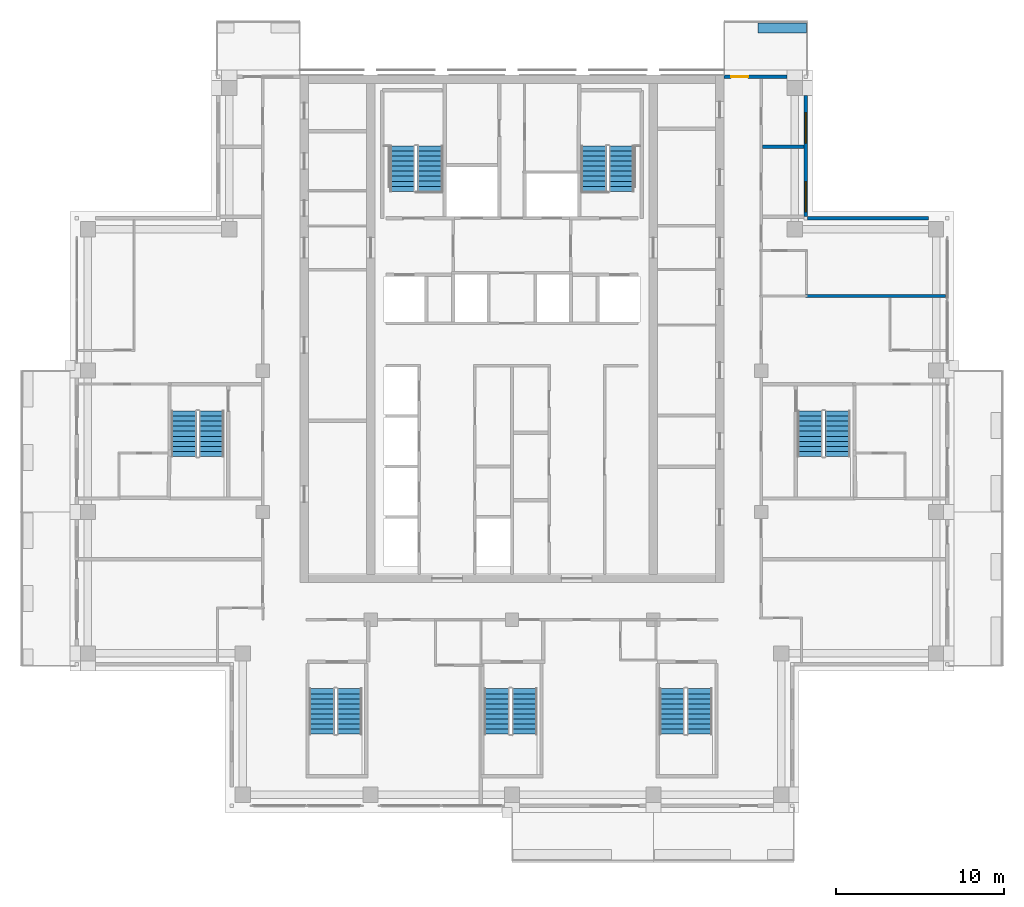
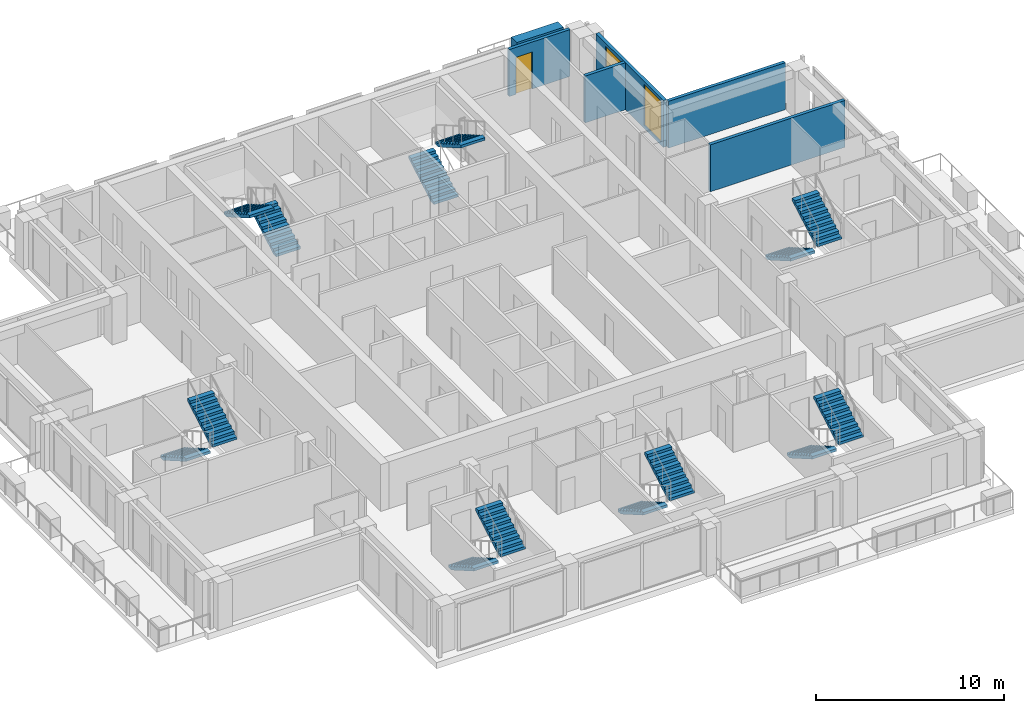
# One storey, part 14 of 17: 14 stair flights, 6 walls, 2 windows, 1 door, 3 openings, 7 elements without a shape of their own.
"""IFC4 building model written with IfcOpenShell, lengths in metres."""

from ifc_helpers import new_model, si_unit, direction, frame, frame_2d, origin, place, context, subcontext, project, spatial, polyline, rectangle, outline, extrude, material, layer, layer_set, type_object, element, fill, aggregate, save


model = new_model("IFC4")

# Units and contexts
model_context = context("Model", 3, precision=1e-05, world=origin(), true_north=direction((0.0, 1.0)))
body_context = subcontext(model_context, "Body", "Model", "MODEL_VIEW")
ifc_project = project(units=[si_unit("LENGTHUNIT", "METRE"), si_unit("AREAUNIT", "SQUARE_METRE"), si_unit("VOLUMEUNIT", "CUBIC_METRE"), si_unit("PLANEANGLEUNIT", "RADIAN"), si_unit("MASSUNIT", "GRAM", prefix="KILO")], contexts=[model_context])

# Site, building, storey
site_placement = place(None, origin())
site = spatial("IfcSite", under=ifc_project, at=site_placement, CompositionType="ELEMENT")
building_placement = place(site_placement, origin())
building = spatial("IfcBuilding", under=site, at=building_placement, Name="Vermilion Ogive Tower", CompositionType="ELEMENT")
storey_placement = place(building_placement, frame((0.0, 0.0, 244.14990234375)))
storey = spatial("IfcBuildingStorey", under=building, at=storey_placement, Name="L64", CompositionType="ELEMENT", Elevation=244.14990234375)

# Walls
ifc_material_1 = material(Name="Gypsum board partition on steel studs", Category="steel")
ifc_layer_1 = layer(ifc_material_1, 0.199951171875)
ifc_layer_set_1 = layer_set([ifc_layer_1], Name="Partition 200 party")
wall_type_1 = type_object("IfcWallType", Name="Partition 200 party", PredefinedType="PARTITIONING", material=ifc_layer_set_1)
wall_1_placement = place(storey_placement, frame((17.449951171875, 8.6298828125, 0.0), z_axis=(0.0, 0.0, 1.0), x_axis=(1.0, 0.0, 0.0)))
element("IfcWall", 1, at=wall_1_placement, inside=storey, type_object=wall_type_1, Name="L64-W-W031", PredefinedType="PARTITIONING", context=body_context, shape_type="SweptSolid", body=[
    extrude(rectangle(XDim=8.300048828125, YDim=0.199951171875, at=frame_2d((4.14990234375, 0.0))), origin(), (0.0, 0.0, 1.0), 3.050048828125),
])
wall_2_placement = place(storey_placement, frame((14.875, 17.5, 0.0), z_axis=(0.0, 0.0, 1.0), x_axis=(1.0, 0.0, 0.0)))
element("IfcWall", 2, at=wall_2_placement, inside=storey, type_object=wall_type_1, Name="L64-W-W036", PredefinedType="PARTITIONING", context=body_context, shape_type="SweptSolid", body=[
    extrude(rectangle(XDim=2.47509765625, YDim=0.199951171875, at=frame_2d((1.237548828125, 0.0))), origin(), (0.0, 0.0, 1.0), 3.050048828125),
])
ifc_material_2 = material(Name="Concrete B40", Category="concrete")
ifc_layer_2 = layer(ifc_material_2, 0.60009765625)
ifc_layer_set_2 = layer_set([ifc_layer_2], Name="Structural planter")
wall_type_2 = type_object("IfcWallType", Name="Structural planter", PredefinedType="USERDEFINED", material=ifc_layer_set_2)
wall_3_placement = place(storey_placement, frame((17.489990234375, 24.550048828125, -0.039794921875), z_axis=(0.0, 0.0, 1.0), x_axis=(-1.0, 0.0, 0.0)))
element("IfcWall", 3, at=wall_3_placement, inside=storey, type_object=wall_type_2, Name="Planter N101A1", ObjectType="PLANTER", PredefinedType="USERDEFINED", context=body_context, shape_type="SweptSolid", body=[
    extrude(rectangle(XDim=2.864990234375, YDim=0.60009765625, at=frame_2d((1.4326171875, 0.0))), origin(), (0.0, 0.0, 1.0), 1.199951171875),
])
ifc_material_3 = material(Name="Aluminium window wall framing", Category="aluminium")
ifc_layer_3 = layer(ifc_material_3, 0.199951171875)
ifc_layer_set_3 = layer_set([ifc_layer_3], Name="Window wall")
wall_type_3 = type_object("IfcWallType", Name="Window wall", PredefinedType="STANDARD", material=ifc_layer_set_3)
wall_4_placement = place(storey_placement, frame((24.75, 13.25, 0.0), z_axis=(0.0, 0.0, 1.0), x_axis=(-1.0, 0.0, 0.0)))
element("IfcWall", 4, at=wall_4_placement, inside=storey, type_object=wall_type_3, Name="Window wall X31", PredefinedType="STANDARD", context=body_context, shape_type="SweptSolid", body=[
    extrude(rectangle(XDim=7.199951171875, YDim=0.199951171875, at=frame_2d((3.60009765625, 0.0))), origin(), (0.0, 0.0, 1.0), 3.050048828125),
])

# Wall, openings, windows
wall_5_placement = place(storey_placement, frame((17.449951171875, 13.35009765625, 0.0), z_axis=(0.0, 0.0, 1.0), x_axis=(0.0, 1.0, 0.0)))
wall_5 = element("IfcWall", 5, at=wall_5_placement, inside=storey, type_object=wall_type_3, Name="Window wall X41", PredefinedType="STANDARD", context=body_context, shape_type="SweptSolid", body=[
    extrude(rectangle(XDim=7.199951171875, YDim=0.199951171875, at=frame_2d((3.60009765625, 0.0))), origin(), (0.0, 0.0, 1.0), 3.050048828125),
])
opening_1_placement = place(wall_5_placement, frame((0.27490234375, 0.0, 0.199951171875)))
opening_1 = element("IfcOpeningElement", 6, at=opening_1_placement, cuts=wall_5, Name="Opening W1-X403", PredefinedType="OPENING", context=body_context, shape_type="SweptSolid", body=[
    extrude(rectangle(XDim=1.800048828125, YDim=2.64990234375, at=frame_2d((0.89990234375, 1.324951171875))), frame((0.0, 0.10986328125, 0.0), z_axis=(0.0, -1.0, 0.0), x_axis=(1.0, 0.0, 0.0)), (0.0, 0.0, 1.0), 0.219970703125),
])
opening_2_placement = place(wall_5_placement, frame((4.3701171875, 0.0, 0.199951171875)))
opening_2 = element("IfcOpeningElement", 7, at=opening_2_placement, cuts=wall_5, Name="Opening W1-X404", PredefinedType="OPENING", context=body_context, shape_type="SweptSolid", body=[
    extrude(rectangle(XDim=1.800048828125, YDim=2.64990234375, at=frame_2d((0.89990234375, 1.324951171875))), frame((0.0, 0.10986328125, 0.0), z_axis=(0.0, -1.0, 0.0), x_axis=(1.0, 0.0, 0.0)), (0.0, 0.0, 1.0), 0.219970703125),
])
ifc_material_4 = material(Name="Aluminium framed double glazing", Category="aluminium")
window_type = type_object("IfcWindowType", Name="Guest window W1", PartitioningType="SINGLE_PANEL", PredefinedType="WINDOW", material=ifc_material_4)
window_1_placement = place(opening_1_placement, origin())
window_1 = element("IfcWindow", 8, at=window_1_placement, inside=storey, type_object=window_type, Name="Window X403", OverallHeight=2.64990234375, OverallWidth=1.800048828125, PartitioningType="SINGLE_PANEL", PredefinedType="WINDOW", context=body_context, shape_type="SweptSolid", body=[
    extrude(rectangle(XDim=1.800048828125, YDim=2.64990234375, at=frame_2d((0.89990234375, 1.324951171875))), frame((0.0, 0.030029296875, 0.0), z_axis=(0.0, -1.0, 0.0), x_axis=(1.0, 0.0, 0.0)), (0.0, 0.0, 1.0), 0.06005859375),
])
fill(opening_1, window_1)
window_2_placement = place(opening_2_placement, origin())
window_2 = element("IfcWindow", 9, at=window_2_placement, inside=storey, type_object=window_type, Name="Window X404", OverallHeight=2.64990234375, OverallWidth=1.800048828125, PartitioningType="SINGLE_PANEL", PredefinedType="WINDOW", context=body_context, shape_type="SweptSolid", body=[
    extrude(rectangle(XDim=1.800048828125, YDim=2.64990234375, at=frame_2d((0.89990234375, 1.324951171875))), frame((0.0, 0.030029296875, 0.0), z_axis=(0.0, -1.0, 0.0), x_axis=(1.0, 0.0, 0.0)), (0.0, 0.0, 1.0), 0.06005859375),
])
fill(opening_2, window_2)

# Wall, opening, door
wall_6_placement = place(storey_placement, frame((16.35009765625, 21.64990234375, 0.0), z_axis=(0.0, 0.0, 1.0), x_axis=(-1.0, 0.0, 0.0)))
wall_6 = element("IfcWall", 10, at=wall_6_placement, inside=storey, type_object=wall_type_3, Name="Window wall N11", PredefinedType="STANDARD", context=body_context, shape_type="SweptSolid", body=[
    extrude(rectangle(XDim=3.75, YDim=0.199951171875, at=frame_2d((1.875, 0.0))), origin(), (0.0, 0.0, 1.0), 3.050048828125),
])
opening_3_placement = place(wall_6_placement, frame((2.324951171875, 0.0, 0.0)))
opening_3 = element("IfcOpeningElement", 11, at=opening_3_placement, cuts=wall_6, Name="Opening D1-N103", PredefinedType="OPENING", context=body_context, shape_type="SweptSolid", body=[
    extrude(rectangle(XDim=1.0, YDim=2.39990234375, at=frame_2d((0.5, 1.199951171875))), frame((0.0, 0.10986328125, 0.0), z_axis=(0.0, -1.0, 0.0), x_axis=(1.0, 0.0, 0.0)), (0.0, 0.0, 1.0), 0.219970703125),
])
ifc_material_5 = material(Name="Aluminium framed glazed door", Category="aluminium")
door_type = type_object("IfcDoorType", Name="Balcony door D1", OperationType="SINGLE_SWING_LEFT", PredefinedType="DOOR", material=ifc_material_5)
door_placement = place(opening_3_placement, origin())
door = element("IfcDoor", 12, at=door_placement, inside=storey, type_object=door_type, Name="Balcony door N103", OperationType="SINGLE_SWING_LEFT", OverallHeight=2.39990234375, OverallWidth=1.0, PredefinedType="DOOR", context=body_context, shape_type="SweptSolid", body=[
    extrude(rectangle(XDim=1.0, YDim=2.39990234375, at=frame_2d((0.5, 1.199951171875))), frame((0.0, 0.02490234375, 0.0), z_axis=(0.0, -1.0, 0.0), x_axis=(1.0, 0.0, 0.0)), (0.0, 0.0, 1.0), 0.050048828125),
])
fill(opening_3, door)

# Stair, stair flights
ifc_material_6 = material(Name="Concrete B40", Category="concrete")
stair_type = type_object("IfcStairType", Name="Exit stair 1500", PredefinedType="HALF_TURN_STAIR", material=ifc_material_6)
stair_1_placement = place(storey_placement, origin())
stair_1 = element("IfcStair", 13, at=stair_1_placement, inside=storey, type_object=stair_type, Name="L64 Exit Stair ST1", PredefinedType="HALF_TURN_STAIR")
ifc_material_7 = material(Name="Concrete B40", Category="concrete")
stair_flight_type = type_object("IfcStairFlightType", Name="Stair flight 1500", PredefinedType="STRAIGHT", material=ifc_material_7)
stair_flight_1_placement = place(storey_placement, frame((-4.85009765625, 14.85009765625, 0.0), z_axis=(0.0, 0.0, 1.0), x_axis=(0.0, 1.0, 0.0)))
stair_flight_1 = element("IfcStairFlight", 14, at=stair_flight_1_placement, type_object=stair_flight_type, Name="ST1 flight 1", NumberOfRisers=10, NumberOfTreads=9, PredefinedType="STRAIGHT", RiserHeight=0.1725, TreadLength=0.3, context=body_context, shape_type="SweptSolid", body=[
    extrude(outline(polyline([(0.0, 0.0), (0.0, 0.172607421875), (0.300048828125, 0.172607421875), (0.300048828125, 0.344970703125), (0.60009765625, 0.344970703125), (0.60009765625, 0.517578125), (0.89990234375, 0.517578125), (0.89990234375, 0.68994140625), (1.199951171875, 0.68994140625), (1.199951171875, 0.862548828125), (1.5, 0.862548828125), (1.5, 1.034912109375), (1.800048828125, 1.034912109375), (1.800048828125, 1.20751953125), (2.10009765625, 1.20751953125), (2.10009765625, 1.3798828125), (2.39990234375, 1.3798828125), (2.39990234375, 1.552490234375), (2.699951171875, 1.552490234375), (2.699951171875, 1.72509765625), (2.699951171875, 1.379638671875), (0.30078125, 0.0), (0.0, 0.0)])), frame((0.0, 0.75, 0.0), z_axis=(0.0, -1.0, 0.0), x_axis=(1.0, 0.0, 0.0)), (0.0, 0.0, 1.0), 1.5),
])
stair_flight_2_placement = place(storey_placement, frame((-6.5, 17.550048828125, 1.72509765625), z_axis=(0.0, 0.0, 1.0), x_axis=(0.0, -1.0, 0.0)))
stair_flight_2 = element("IfcStairFlight", 15, at=stair_flight_2_placement, type_object=stair_flight_type, Name="ST1 flight 2", NumberOfRisers=10, NumberOfTreads=9, PredefinedType="STRAIGHT", RiserHeight=0.1725, TreadLength=0.3, context=body_context, shape_type="SweptSolid", body=[
    extrude(outline(polyline([(0.0, 0.0), (0.0, 0.172607421875), (0.300048828125, 0.172607421875), (0.300048828125, 0.344970703125), (0.60009765625, 0.344970703125), (0.60009765625, 0.517578125), (0.89990234375, 0.517578125), (0.89990234375, 0.68994140625), (1.199951171875, 0.68994140625), (1.199951171875, 0.862548828125), (1.5, 0.862548828125), (1.5, 1.034912109375), (1.800048828125, 1.034912109375), (1.800048828125, 1.20751953125), (2.10009765625, 1.20751953125), (2.10009765625, 1.3798828125), (2.39990234375, 1.3798828125), (2.39990234375, 1.552490234375), (2.699951171875, 1.552490234375), (2.699951171875, 1.72509765625), (2.699951171875, 1.379638671875), (0.30078125, 0.0), (0.0, 0.0)])), frame((0.0, 0.75, 0.0), z_axis=(0.0, -1.0, 0.0), x_axis=(1.0, 0.0, 0.0)), (0.0, 0.0, 1.0), 1.5),
])
aggregate(stair_1, [stair_flight_1, stair_flight_2])

stair_2_placement = place(storey_placement, origin())
stair_2 = element("IfcStair", 16, at=stair_2_placement, inside=storey, type_object=stair_type, Name="L64 Exit Stair ST2", PredefinedType="HALF_TURN_STAIR")
stair_flight_3_placement = place(storey_placement, frame((4.85009765625, 14.85009765625, 0.0), z_axis=(0.0, 0.0, 1.0), x_axis=(0.0, 1.0, 0.0)))
stair_flight_3 = element("IfcStairFlight", 17, at=stair_flight_3_placement, type_object=stair_flight_type, Name="ST2 flight 1", NumberOfRisers=10, NumberOfTreads=9, PredefinedType="STRAIGHT", RiserHeight=0.1725, TreadLength=0.3, context=body_context, shape_type="SweptSolid", body=[
    extrude(outline(polyline([(0.0, 0.0), (0.0, 0.172607421875), (0.300048828125, 0.172607421875), (0.300048828125, 0.344970703125), (0.60009765625, 0.344970703125), (0.60009765625, 0.517578125), (0.89990234375, 0.517578125), (0.89990234375, 0.68994140625), (1.199951171875, 0.68994140625), (1.199951171875, 0.862548828125), (1.5, 0.862548828125), (1.5, 1.034912109375), (1.800048828125, 1.034912109375), (1.800048828125, 1.20751953125), (2.10009765625, 1.20751953125), (2.10009765625, 1.3798828125), (2.39990234375, 1.3798828125), (2.39990234375, 1.552490234375), (2.699951171875, 1.552490234375), (2.699951171875, 1.72509765625), (2.699951171875, 1.379638671875), (0.30078125, 0.0), (0.0, 0.0)])), frame((0.0, 0.75, 0.0), z_axis=(0.0, -1.0, 0.0), x_axis=(1.0, 0.0, 0.0)), (0.0, 0.0, 1.0), 1.5),
])
stair_flight_4_placement = place(storey_placement, frame((6.5, 17.550048828125, 1.72509765625), z_axis=(0.0, 0.0, 1.0), x_axis=(0.0, -1.0, 0.0)))
stair_flight_4 = element("IfcStairFlight", 18, at=stair_flight_4_placement, type_object=stair_flight_type, Name="ST2 flight 2", NumberOfRisers=10, NumberOfTreads=9, PredefinedType="STRAIGHT", RiserHeight=0.1725, TreadLength=0.3, context=body_context, shape_type="SweptSolid", body=[
    extrude(outline(polyline([(0.0, 0.0), (0.0, 0.172607421875), (0.300048828125, 0.172607421875), (0.300048828125, 0.344970703125), (0.60009765625, 0.344970703125), (0.60009765625, 0.517578125), (0.89990234375, 0.517578125), (0.89990234375, 0.68994140625), (1.199951171875, 0.68994140625), (1.199951171875, 0.862548828125), (1.5, 0.862548828125), (1.5, 1.034912109375), (1.800048828125, 1.034912109375), (1.800048828125, 1.20751953125), (2.10009765625, 1.20751953125), (2.10009765625, 1.3798828125), (2.39990234375, 1.3798828125), (2.39990234375, 1.552490234375), (2.699951171875, 1.552490234375), (2.699951171875, 1.72509765625), (2.699951171875, 1.379638671875), (0.30078125, 0.0), (0.0, 0.0)])), frame((0.0, 0.75, 0.0), z_axis=(0.0, -1.0, 0.0), x_axis=(1.0, 0.0, 0.0)), (0.0, 0.0, 1.0), 1.5),
])
aggregate(stair_2, [stair_flight_3, stair_flight_4])

stair_3_placement = place(storey_placement, origin())
stair_3 = element("IfcStair", 19, at=stair_3_placement, inside=storey, type_object=stair_type, Name="L64 Exit Stair ST3", PredefinedType="HALF_TURN_STAIR")
stair_flight_5_placement = place(storey_placement, frame((-11.300048828125, -14.699951171875, 0.0), z_axis=(0.0, 0.0, 1.0), x_axis=(0.0, -1.0, 0.0)))
stair_flight_5 = element("IfcStairFlight", 20, at=stair_flight_5_placement, type_object=stair_flight_type, Name="ST3 flight 1", NumberOfRisers=10, NumberOfTreads=9, PredefinedType="STRAIGHT", RiserHeight=0.1725, TreadLength=0.3, context=body_context, shape_type="SweptSolid", body=[
    extrude(outline(polyline([(0.0, 0.0), (0.0, 0.172607421875), (0.300048828125, 0.172607421875), (0.300048828125, 0.344970703125), (0.60009765625, 0.344970703125), (0.60009765625, 0.517578125), (0.89990234375, 0.517578125), (0.89990234375, 0.68994140625), (1.199951171875, 0.68994140625), (1.199951171875, 0.862548828125), (1.5, 0.862548828125), (1.5, 1.034912109375), (1.800048828125, 1.034912109375), (1.800048828125, 1.20751953125), (2.10009765625, 1.20751953125), (2.10009765625, 1.3798828125), (2.39990234375, 1.3798828125), (2.39990234375, 1.552490234375), (2.699951171875, 1.552490234375), (2.699951171875, 1.72509765625), (2.699951171875, 1.379638671875), (0.30078125, 0.0), (0.0, 0.0)])), frame((0.0, 0.75, 0.0), z_axis=(0.0, -1.0, 0.0), x_axis=(1.0, 0.0, 0.0)), (0.0, 0.0, 1.0), 1.5),
])
stair_flight_6_placement = place(storey_placement, frame((-9.64990234375, -17.39990234375, 1.72509765625), z_axis=(0.0, 0.0, 1.0), x_axis=(0.0, 1.0, 0.0)))
stair_flight_6 = element("IfcStairFlight", 21, at=stair_flight_6_placement, type_object=stair_flight_type, Name="ST3 flight 2", NumberOfRisers=10, NumberOfTreads=9, PredefinedType="STRAIGHT", RiserHeight=0.1725, TreadLength=0.3, context=body_context, shape_type="SweptSolid", body=[
    extrude(outline(polyline([(0.0, 0.0), (0.0, 0.172607421875), (0.300048828125, 0.172607421875), (0.300048828125, 0.344970703125), (0.60009765625, 0.344970703125), (0.60009765625, 0.517578125), (0.89990234375, 0.517578125), (0.89990234375, 0.68994140625), (1.199951171875, 0.68994140625), (1.199951171875, 0.862548828125), (1.5, 0.862548828125), (1.5, 1.034912109375), (1.800048828125, 1.034912109375), (1.800048828125, 1.20751953125), (2.10009765625, 1.20751953125), (2.10009765625, 1.3798828125), (2.39990234375, 1.3798828125), (2.39990234375, 1.552490234375), (2.699951171875, 1.552490234375), (2.699951171875, 1.72509765625), (2.699951171875, 1.379638671875), (0.30078125, 0.0), (0.0, 0.0)])), frame((0.0, 0.75, 0.0), z_axis=(0.0, -1.0, 0.0), x_axis=(1.0, 0.0, 0.0)), (0.0, 0.0, 1.0), 1.5),
])
aggregate(stair_3, [stair_flight_5, stair_flight_6])

stair_4_placement = place(storey_placement, origin())
stair_4 = element("IfcStair", 22, at=stair_4_placement, inside=storey, type_object=stair_type, Name="L64 Exit Stair ST4", PredefinedType="HALF_TURN_STAIR")
stair_flight_7_placement = place(storey_placement, frame((-0.89990234375, -14.699951171875, 0.0), z_axis=(0.0, 0.0, 1.0), x_axis=(0.0, -1.0, 0.0)))
stair_flight_7 = element("IfcStairFlight", 23, at=stair_flight_7_placement, type_object=stair_flight_type, Name="ST4 flight 1", NumberOfRisers=10, NumberOfTreads=9, PredefinedType="STRAIGHT", RiserHeight=0.1725, TreadLength=0.3, context=body_context, shape_type="SweptSolid", body=[
    extrude(outline(polyline([(0.0, 0.0), (0.0, 0.172607421875), (0.300048828125, 0.172607421875), (0.300048828125, 0.344970703125), (0.60009765625, 0.344970703125), (0.60009765625, 0.517578125), (0.89990234375, 0.517578125), (0.89990234375, 0.68994140625), (1.199951171875, 0.68994140625), (1.199951171875, 0.862548828125), (1.5, 0.862548828125), (1.5, 1.034912109375), (1.800048828125, 1.034912109375), (1.800048828125, 1.20751953125), (2.10009765625, 1.20751953125), (2.10009765625, 1.3798828125), (2.39990234375, 1.3798828125), (2.39990234375, 1.552490234375), (2.699951171875, 1.552490234375), (2.699951171875, 1.72509765625), (2.699951171875, 1.379638671875), (0.30078125, 0.0), (0.0, 0.0)])), frame((0.0, 0.75, 0.0), z_axis=(0.0, -1.0, 0.0), x_axis=(1.0, 0.0, 0.0)), (0.0, 0.0, 1.0), 1.5),
])
stair_flight_8_placement = place(storey_placement, frame((0.75, -17.39990234375, 1.72509765625), z_axis=(0.0, 0.0, 1.0), x_axis=(0.0, 1.0, 0.0)))
stair_flight_8 = element("IfcStairFlight", 24, at=stair_flight_8_placement, type_object=stair_flight_type, Name="ST4 flight 2", NumberOfRisers=10, NumberOfTreads=9, PredefinedType="STRAIGHT", RiserHeight=0.1725, TreadLength=0.3, context=body_context, shape_type="SweptSolid", body=[
    extrude(outline(polyline([(0.0, 0.0), (0.0, 0.172607421875), (0.300048828125, 0.172607421875), (0.300048828125, 0.344970703125), (0.60009765625, 0.344970703125), (0.60009765625, 0.517578125), (0.89990234375, 0.517578125), (0.89990234375, 0.68994140625), (1.199951171875, 0.68994140625), (1.199951171875, 0.862548828125), (1.5, 0.862548828125), (1.5, 1.034912109375), (1.800048828125, 1.034912109375), (1.800048828125, 1.20751953125), (2.10009765625, 1.20751953125), (2.10009765625, 1.3798828125), (2.39990234375, 1.3798828125), (2.39990234375, 1.552490234375), (2.699951171875, 1.552490234375), (2.699951171875, 1.72509765625), (2.699951171875, 1.379638671875), (0.30078125, 0.0), (0.0, 0.0)])), frame((0.0, 0.75, 0.0), z_axis=(0.0, -1.0, 0.0), x_axis=(1.0, 0.0, 0.0)), (0.0, 0.0, 1.0), 1.5),
])
aggregate(stair_4, [stair_flight_7, stair_flight_8])

stair_5_placement = place(storey_placement, origin())
stair_5 = element("IfcStair", 25, at=stair_5_placement, inside=storey, type_object=stair_type, Name="L64 Exit Stair ST5", PredefinedType="HALF_TURN_STAIR")
stair_flight_9_placement = place(storey_placement, frame((9.5, -14.699951171875, 0.0), z_axis=(0.0, 0.0, 1.0), x_axis=(0.0, -1.0, 0.0)))
stair_flight_9 = element("IfcStairFlight", 26, at=stair_flight_9_placement, type_object=stair_flight_type, Name="ST5 flight 1", NumberOfRisers=10, NumberOfTreads=9, PredefinedType="STRAIGHT", RiserHeight=0.1725, TreadLength=0.3, context=body_context, shape_type="SweptSolid", body=[
    extrude(outline(polyline([(0.0, 0.0), (0.0, 0.172607421875), (0.300048828125, 0.172607421875), (0.300048828125, 0.344970703125), (0.60009765625, 0.344970703125), (0.60009765625, 0.517578125), (0.89990234375, 0.517578125), (0.89990234375, 0.68994140625), (1.199951171875, 0.68994140625), (1.199951171875, 0.862548828125), (1.5, 0.862548828125), (1.5, 1.034912109375), (1.800048828125, 1.034912109375), (1.800048828125, 1.20751953125), (2.10009765625, 1.20751953125), (2.10009765625, 1.3798828125), (2.39990234375, 1.3798828125), (2.39990234375, 1.552490234375), (2.699951171875, 1.552490234375), (2.699951171875, 1.72509765625), (2.699951171875, 1.379638671875), (0.30078125, 0.0), (0.0, 0.0)])), frame((0.0, 0.75, 0.0), z_axis=(0.0, -1.0, 0.0), x_axis=(1.0, 0.0, 0.0)), (0.0, 0.0, 1.0), 1.5),
])
stair_flight_10_placement = place(storey_placement, frame((11.14990234375, -17.39990234375, 1.72509765625), z_axis=(0.0, 0.0, 1.0), x_axis=(0.0, 1.0, 0.0)))
stair_flight_10 = element("IfcStairFlight", 27, at=stair_flight_10_placement, type_object=stair_flight_type, Name="ST5 flight 2", NumberOfRisers=10, NumberOfTreads=9, PredefinedType="STRAIGHT", RiserHeight=0.1725, TreadLength=0.3, context=body_context, shape_type="SweptSolid", body=[
    extrude(outline(polyline([(0.0, 0.0), (0.0, 0.172607421875), (0.300048828125, 0.172607421875), (0.300048828125, 0.344970703125), (0.60009765625, 0.344970703125), (0.60009765625, 0.517578125), (0.89990234375, 0.517578125), (0.89990234375, 0.68994140625), (1.199951171875, 0.68994140625), (1.199951171875, 0.862548828125), (1.5, 0.862548828125), (1.5, 1.034912109375), (1.800048828125, 1.034912109375), (1.800048828125, 1.20751953125), (2.10009765625, 1.20751953125), (2.10009765625, 1.3798828125), (2.39990234375, 1.3798828125), (2.39990234375, 1.552490234375), (2.699951171875, 1.552490234375), (2.699951171875, 1.72509765625), (2.699951171875, 1.379638671875), (0.30078125, 0.0), (0.0, 0.0)])), frame((0.0, 0.75, 0.0), z_axis=(0.0, -1.0, 0.0), x_axis=(1.0, 0.0, 0.0)), (0.0, 0.0, 1.0), 1.5),
])
aggregate(stair_5, [stair_flight_9, stair_flight_10])

stair_6_placement = place(storey_placement, origin())
stair_6 = element("IfcStair", 28, at=stair_6_placement, inside=storey, type_object=stair_type, Name="L64 Exit Stair ST8", PredefinedType="HALF_TURN_STAIR")
stair_flight_11_placement = place(storey_placement, frame((17.699951171875, 1.800048828125, 0.0), z_axis=(0.0, 0.0, 1.0), x_axis=(0.0, -1.0, 0.0)))
stair_flight_11 = element("IfcStairFlight", 29, at=stair_flight_11_placement, type_object=stair_flight_type, Name="ST8 flight 1", NumberOfRisers=10, NumberOfTreads=9, PredefinedType="STRAIGHT", RiserHeight=0.1725, TreadLength=0.3, context=body_context, shape_type="SweptSolid", body=[
    extrude(outline(polyline([(0.0, 0.0), (0.0, 0.172607421875), (0.300048828125, 0.172607421875), (0.300048828125, 0.344970703125), (0.60009765625, 0.344970703125), (0.60009765625, 0.517578125), (0.89990234375, 0.517578125), (0.89990234375, 0.68994140625), (1.199951171875, 0.68994140625), (1.199951171875, 0.862548828125), (1.5, 0.862548828125), (1.5, 1.034912109375), (1.800048828125, 1.034912109375), (1.800048828125, 1.20751953125), (2.10009765625, 1.20751953125), (2.10009765625, 1.3798828125), (2.39990234375, 1.3798828125), (2.39990234375, 1.552490234375), (2.699951171875, 1.552490234375), (2.699951171875, 1.72509765625), (2.699951171875, 1.379638671875), (0.30078125, 0.0), (0.0, 0.0)])), frame((0.0, 0.75, 0.0), z_axis=(0.0, -1.0, 0.0), x_axis=(1.0, 0.0, 0.0)), (0.0, 0.0, 1.0), 1.5),
])
stair_flight_12_placement = place(storey_placement, frame((19.35009765625, -0.89990234375, 1.72509765625), z_axis=(0.0, 0.0, 1.0), x_axis=(0.0, 1.0, 0.0)))
stair_flight_12 = element("IfcStairFlight", 30, at=stair_flight_12_placement, type_object=stair_flight_type, Name="ST8 flight 2", NumberOfRisers=10, NumberOfTreads=9, PredefinedType="STRAIGHT", RiserHeight=0.1725, TreadLength=0.3, context=body_context, shape_type="SweptSolid", body=[
    extrude(outline(polyline([(0.0, 0.0), (0.0, 0.172607421875), (0.300048828125, 0.172607421875), (0.300048828125, 0.344970703125), (0.60009765625, 0.344970703125), (0.60009765625, 0.517578125), (0.89990234375, 0.517578125), (0.89990234375, 0.68994140625), (1.199951171875, 0.68994140625), (1.199951171875, 0.862548828125), (1.5, 0.862548828125), (1.5, 1.034912109375), (1.800048828125, 1.034912109375), (1.800048828125, 1.20751953125), (2.10009765625, 1.20751953125), (2.10009765625, 1.3798828125), (2.39990234375, 1.3798828125), (2.39990234375, 1.552490234375), (2.699951171875, 1.552490234375), (2.699951171875, 1.72509765625), (2.699951171875, 1.379638671875), (0.30078125, 0.0), (0.0, 0.0)])), frame((0.0, 0.75, 0.0), z_axis=(0.0, -1.0, 0.0), x_axis=(1.0, 0.0, 0.0)), (0.0, 0.0, 1.0), 1.5),
])
aggregate(stair_6, [stair_flight_11, stair_flight_12])

stair_7_placement = place(storey_placement, origin())
stair_7 = element("IfcStair", 31, at=stair_7_placement, inside=storey, type_object=stair_type, Name="L64 Exit Stair ST9", PredefinedType="HALF_TURN_STAIR")
stair_flight_13_placement = place(storey_placement, frame((-19.5, 1.800048828125, 0.0), z_axis=(0.0, 0.0, 1.0), x_axis=(0.0, -1.0, 0.0)))
stair_flight_13 = element("IfcStairFlight", 32, at=stair_flight_13_placement, type_object=stair_flight_type, Name="ST9 flight 1", NumberOfRisers=10, NumberOfTreads=9, PredefinedType="STRAIGHT", RiserHeight=0.1725, TreadLength=0.3, context=body_context, shape_type="SweptSolid", body=[
    extrude(outline(polyline([(0.0, 0.0), (0.0, 0.172607421875), (0.300048828125, 0.172607421875), (0.300048828125, 0.344970703125), (0.60009765625, 0.344970703125), (0.60009765625, 0.517578125), (0.89990234375, 0.517578125), (0.89990234375, 0.68994140625), (1.199951171875, 0.68994140625), (1.199951171875, 0.862548828125), (1.5, 0.862548828125), (1.5, 1.034912109375), (1.800048828125, 1.034912109375), (1.800048828125, 1.20751953125), (2.10009765625, 1.20751953125), (2.10009765625, 1.3798828125), (2.39990234375, 1.3798828125), (2.39990234375, 1.552490234375), (2.699951171875, 1.552490234375), (2.699951171875, 1.72509765625), (2.699951171875, 1.379638671875), (0.30078125, 0.0), (0.0, 0.0)])), frame((0.0, 0.75, 0.0), z_axis=(0.0, -1.0, 0.0), x_axis=(1.0, 0.0, 0.0)), (0.0, 0.0, 1.0), 1.5),
])
stair_flight_14_placement = place(storey_placement, frame((-17.85009765625, -0.89990234375, 1.72509765625), z_axis=(0.0, 0.0, 1.0), x_axis=(0.0, 1.0, 0.0)))
stair_flight_14 = element("IfcStairFlight", 33, at=stair_flight_14_placement, type_object=stair_flight_type, Name="ST9 flight 2", NumberOfRisers=10, NumberOfTreads=9, PredefinedType="STRAIGHT", RiserHeight=0.1725, TreadLength=0.3, context=body_context, shape_type="SweptSolid", body=[
    extrude(outline(polyline([(0.0, 0.0), (0.0, 0.172607421875), (0.300048828125, 0.172607421875), (0.300048828125, 0.344970703125), (0.60009765625, 0.344970703125), (0.60009765625, 0.517578125), (0.89990234375, 0.517578125), (0.89990234375, 0.68994140625), (1.199951171875, 0.68994140625), (1.199951171875, 0.862548828125), (1.5, 0.862548828125), (1.5, 1.034912109375), (1.800048828125, 1.034912109375), (1.800048828125, 1.20751953125), (2.10009765625, 1.20751953125), (2.10009765625, 1.3798828125), (2.39990234375, 1.3798828125), (2.39990234375, 1.552490234375), (2.699951171875, 1.552490234375), (2.699951171875, 1.72509765625), (2.699951171875, 1.379638671875), (0.30078125, 0.0), (0.0, 0.0)])), frame((0.0, 0.75, 0.0), z_axis=(0.0, -1.0, 0.0), x_axis=(1.0, 0.0, 0.0)), (0.0, 0.0, 1.0), 1.5),
])
aggregate(stair_7, [stair_flight_13, stair_flight_14])

save(model, "model.ifc")
